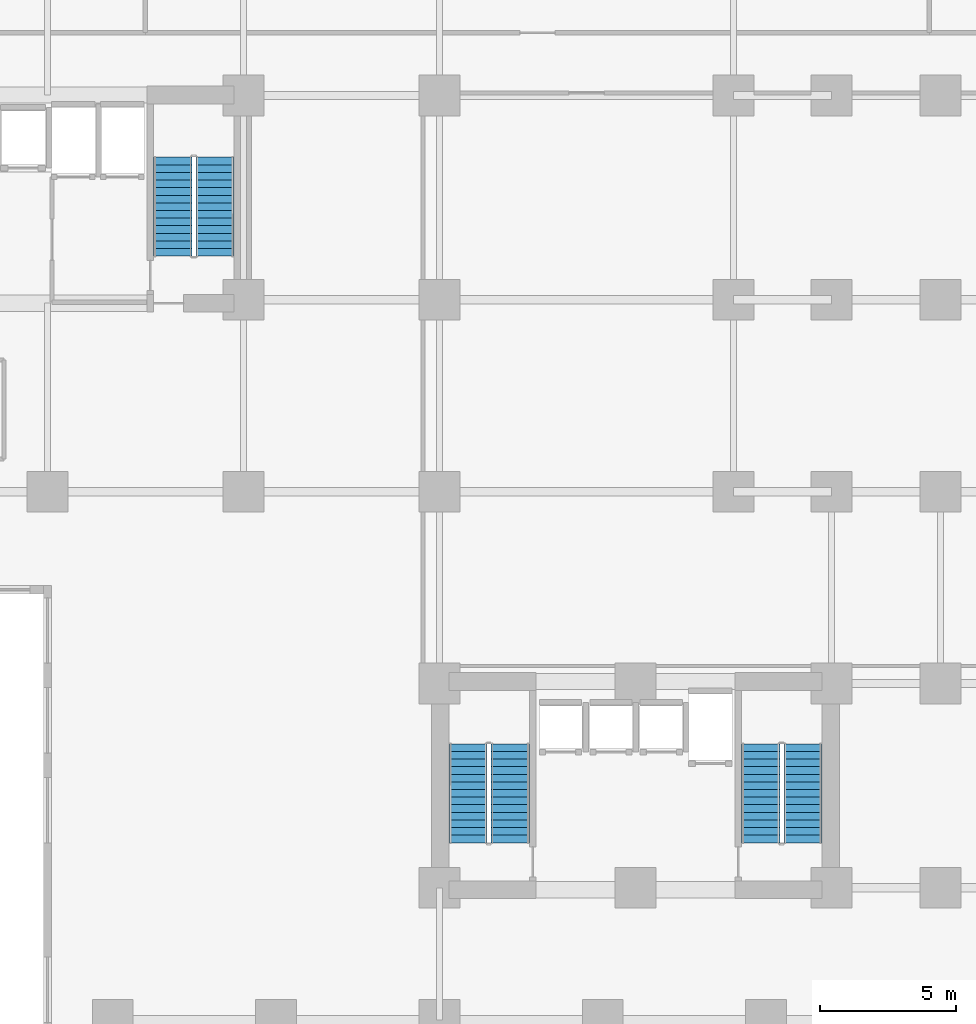
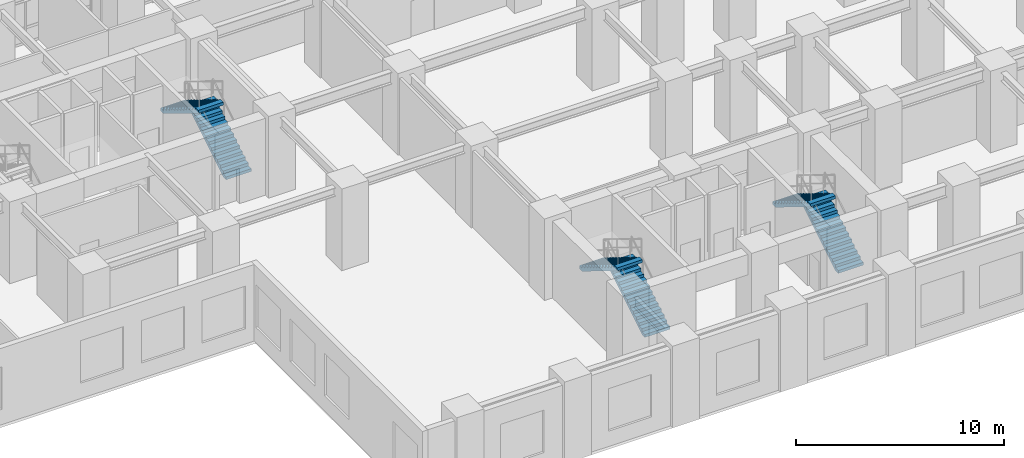
# One storey, part 19 of 22: 6 stair flights, 3 elements without a shape of their own.
"""IFC4 building model written with IfcOpenShell, lengths in metres."""

from ifc_helpers import new_model, si_unit, direction, frame, origin, place, context, subcontext, project, spatial, polyline, outline, extrude, material, type_object, element, aggregate, save


model = new_model("IFC4")

# Units and contexts
model_context = context("Model", 3, precision=1e-05, world=origin(), true_north=direction((0.0, 1.0)))
body_context = subcontext(model_context, "Body", "Model", "MODEL_VIEW")
ifc_project = project(units=[si_unit("LENGTHUNIT", "METRE"), si_unit("AREAUNIT", "SQUARE_METRE"), si_unit("VOLUMEUNIT", "CUBIC_METRE"), si_unit("PLANEANGLEUNIT", "RADIAN"), si_unit("MASSUNIT", "GRAM", prefix="KILO")], contexts=[model_context])

# Site, building, storey
site_placement = place(None, origin())
site = spatial("IfcSite", under=ifc_project, at=site_placement, CompositionType="ELEMENT")
building_placement = place(site_placement, origin())
building = spatial("IfcBuilding", under=site, at=building_placement, Name="Kaliganga Portal Commons", CompositionType="ELEMENT")
storey_placement = place(building_placement, frame((0.0, 0.0, 5.39990234375)))
storey = spatial("IfcBuildingStorey", under=building, at=storey_placement, Name="L01", CompositionType="ELEMENT", Elevation=5.39990234375)

# Stair, stair flights
ifc_material = material(Name="Concrete C40/50", Category="concrete")
stair_type = type_object("IfcStairType", Name="ST-CORE-DOGLEG", PredefinedType="HALF_TURN_STAIR", material=ifc_material)
stair_1_placement = place(storey_placement, origin())
stair_1 = element("IfcStair", 1, at=stair_1_placement, inside=storey, type_object=stair_type, Name="L01 Protected Exit Stair ST-A2", PredefinedType="HALF_TURN_STAIR")
stair_flight_type = type_object("IfcStairFlightType", Name="STF-RC-1400", PredefinedType="STRAIGHT", material=ifc_material)
stair_flight_1_placement = place(storey_placement, frame((27.75, 30.25, 0.0), z_axis=(0.0, 0.0, 1.0), x_axis=(0.0, 1.0, 0.0)))
stair_flight_1 = element("IfcStairFlight", 2, at=stair_flight_1_placement, type_object=stair_flight_type, Name="ST-A2 flight 1", NumberOfRisers=14, NumberOfTreads=13, PredefinedType="STRAIGHT", RiserHeight=0.171428571, TreadLength=0.28, context=body_context, shape_type="SweptSolid", body=[
    extrude(outline(polyline([(0.0, 0.0), (0.0, 0.17138671875), (0.280029296875, 0.17138671875), (0.280029296875, 0.3427734375), (0.56005859375, 0.3427734375), (0.56005859375, 0.514404296875), (0.840087890625, 0.514404296875), (0.840087890625, 0.685791015625), (1.1201171875, 0.685791015625), (1.1201171875, 0.857177734375), (1.39990234375, 0.857177734375), (1.39990234375, 1.028564453125), (1.679931640625, 1.028564453125), (1.679931640625, 1.199951171875), (1.9599609375, 1.199951171875), (1.9599609375, 1.371337890625), (2.239990234375, 1.371337890625), (2.239990234375, 1.54296875), (2.52001953125, 1.54296875), (2.52001953125, 1.71435546875), (2.800048828125, 1.71435546875), (2.800048828125, 1.8857421875), (3.080078125, 1.8857421875), (3.080078125, 2.05712890625), (3.360107421875, 2.05712890625), (3.360107421875, 2.228515625), (3.639892578125, 2.228515625), (3.639892578125, 2.39990234375), (3.639892578125, 2.052734375), (0.287109375, 0.0), (0.0, 0.0)])), frame((0.0, 0.699951171875, 0.0), z_axis=(0.0, -1.0, 0.0), x_axis=(1.0, 0.0, 0.0)), (0.0, 0.0, 1.0), 1.39990234375),
])
stair_flight_2_placement = place(storey_placement, frame((26.199951171875, 33.889892578125, 2.400146484375), z_axis=(0.0, 0.0, 1.0), x_axis=(0.0, -1.0, 0.0)))
stair_flight_2 = element("IfcStairFlight", 3, at=stair_flight_2_placement, type_object=stair_flight_type, Name="ST-A2 flight 2", NumberOfRisers=14, NumberOfTreads=13, PredefinedType="STRAIGHT", RiserHeight=0.171428571, TreadLength=0.28, context=body_context, shape_type="SweptSolid", body=[
    extrude(outline(polyline([(0.0, 0.0), (0.0, 0.17138671875), (0.280029296875, 0.17138671875), (0.280029296875, 0.3427734375), (0.56005859375, 0.3427734375), (0.56005859375, 0.514404296875), (0.840087890625, 0.514404296875), (0.840087890625, 0.685791015625), (1.1201171875, 0.685791015625), (1.1201171875, 0.857177734375), (1.39990234375, 0.857177734375), (1.39990234375, 1.028564453125), (1.679931640625, 1.028564453125), (1.679931640625, 1.199951171875), (1.9599609375, 1.199951171875), (1.9599609375, 1.371337890625), (2.239990234375, 1.371337890625), (2.239990234375, 1.54296875), (2.52001953125, 1.54296875), (2.52001953125, 1.71435546875), (2.800048828125, 1.71435546875), (2.800048828125, 1.8857421875), (3.080078125, 1.8857421875), (3.080078125, 2.05712890625), (3.360107421875, 2.05712890625), (3.360107421875, 2.228515625), (3.639892578125, 2.228515625), (3.639892578125, 2.39990234375), (3.639892578125, 2.052734375), (0.287109375, 0.0), (0.0, 0.0)])), frame((0.0, 0.699951171875, 0.0), z_axis=(0.0, -1.0, 0.0), x_axis=(1.0, 0.0, 0.0)), (0.0, 0.0, 1.0), 1.39990234375),
])
aggregate(stair_1, [stair_flight_1, stair_flight_2])

stair_2_placement = place(storey_placement, origin())
stair_2 = element("IfcStair", 4, at=stair_2_placement, inside=storey, type_object=stair_type, Name="L01 Protected Exit Stair ST-B1", PredefinedType="HALF_TURN_STAIR")
stair_flight_3_placement = place(storey_placement, frame((38.60009765625, 8.699951171875, 0.0), z_axis=(0.0, 0.0, 1.0), x_axis=(0.0, 1.0, 0.0)))
stair_flight_3 = element("IfcStairFlight", 5, at=stair_flight_3_placement, type_object=stair_flight_type, Name="ST-B1 flight 1", NumberOfRisers=14, NumberOfTreads=13, PredefinedType="STRAIGHT", RiserHeight=0.171428571, TreadLength=0.28, context=body_context, shape_type="SweptSolid", body=[
    extrude(outline(polyline([(0.0, 0.0), (0.0, 0.17138671875), (0.280029296875, 0.17138671875), (0.280029296875, 0.3427734375), (0.56005859375, 0.3427734375), (0.56005859375, 0.514404296875), (0.840087890625, 0.514404296875), (0.840087890625, 0.685791015625), (1.1201171875, 0.685791015625), (1.1201171875, 0.857177734375), (1.39990234375, 0.857177734375), (1.39990234375, 1.028564453125), (1.679931640625, 1.028564453125), (1.679931640625, 1.199951171875), (1.9599609375, 1.199951171875), (1.9599609375, 1.371337890625), (2.239990234375, 1.371337890625), (2.239990234375, 1.54296875), (2.52001953125, 1.54296875), (2.52001953125, 1.71435546875), (2.800048828125, 1.71435546875), (2.800048828125, 1.8857421875), (3.080078125, 1.8857421875), (3.080078125, 2.05712890625), (3.360107421875, 2.05712890625), (3.360107421875, 2.228515625), (3.639892578125, 2.228515625), (3.639892578125, 2.39990234375), (3.639892578125, 2.052734375), (0.287109375, 0.0), (0.0, 0.0)])), frame((0.0, 0.699951171875, 0.0), z_axis=(0.0, -1.0, 0.0), x_axis=(1.0, 0.0, 0.0)), (0.0, 0.0, 1.0), 1.39990234375),
])
stair_flight_4_placement = place(storey_placement, frame((37.050048828125, 12.340087890625, 2.400146484375), z_axis=(0.0, 0.0, 1.0), x_axis=(0.0, -1.0, 0.0)))
stair_flight_4 = element("IfcStairFlight", 6, at=stair_flight_4_placement, type_object=stair_flight_type, Name="ST-B1 flight 2", NumberOfRisers=14, NumberOfTreads=13, PredefinedType="STRAIGHT", RiserHeight=0.171428571, TreadLength=0.28, context=body_context, shape_type="SweptSolid", body=[
    extrude(outline(polyline([(0.0, 0.0), (0.0, 0.17138671875), (0.280029296875, 0.17138671875), (0.280029296875, 0.3427734375), (0.56005859375, 0.3427734375), (0.56005859375, 0.514404296875), (0.840087890625, 0.514404296875), (0.840087890625, 0.685791015625), (1.1201171875, 0.685791015625), (1.1201171875, 0.857177734375), (1.39990234375, 0.857177734375), (1.39990234375, 1.028564453125), (1.679931640625, 1.028564453125), (1.679931640625, 1.199951171875), (1.9599609375, 1.199951171875), (1.9599609375, 1.371337890625), (2.239990234375, 1.371337890625), (2.239990234375, 1.54296875), (2.52001953125, 1.54296875), (2.52001953125, 1.71435546875), (2.800048828125, 1.71435546875), (2.800048828125, 1.8857421875), (3.080078125, 1.8857421875), (3.080078125, 2.05712890625), (3.360107421875, 2.05712890625), (3.360107421875, 2.228515625), (3.639892578125, 2.228515625), (3.639892578125, 2.39990234375), (3.639892578125, 2.052734375), (0.287109375, 0.0), (0.0, 0.0)])), frame((0.0, 0.699951171875, 0.0), z_axis=(0.0, -1.0, 0.0), x_axis=(1.0, 0.0, 0.0)), (0.0, 0.0, 1.0), 1.39990234375),
])
aggregate(stair_2, [stair_flight_3, stair_flight_4])

stair_3_placement = place(storey_placement, origin())
stair_3 = element("IfcStair", 7, at=stair_3_placement, inside=storey, type_object=stair_type, Name="L01 Protected Exit Stair ST-B2", PredefinedType="HALF_TURN_STAIR")
stair_flight_5_placement = place(storey_placement, frame((49.35009765625, 8.699951171875, 0.0), z_axis=(0.0, 0.0, 1.0), x_axis=(0.0, 1.0, 0.0)))
stair_flight_5 = element("IfcStairFlight", 8, at=stair_flight_5_placement, type_object=stair_flight_type, Name="ST-B2 flight 1", NumberOfRisers=14, NumberOfTreads=13, PredefinedType="STRAIGHT", RiserHeight=0.171428571, TreadLength=0.28, context=body_context, shape_type="SweptSolid", body=[
    extrude(outline(polyline([(0.0, 0.0), (0.0, 0.17138671875), (0.280029296875, 0.17138671875), (0.280029296875, 0.3427734375), (0.56005859375, 0.3427734375), (0.56005859375, 0.514404296875), (0.840087890625, 0.514404296875), (0.840087890625, 0.685791015625), (1.1201171875, 0.685791015625), (1.1201171875, 0.857177734375), (1.39990234375, 0.857177734375), (1.39990234375, 1.028564453125), (1.679931640625, 1.028564453125), (1.679931640625, 1.199951171875), (1.9599609375, 1.199951171875), (1.9599609375, 1.371337890625), (2.239990234375, 1.371337890625), (2.239990234375, 1.54296875), (2.52001953125, 1.54296875), (2.52001953125, 1.71435546875), (2.800048828125, 1.71435546875), (2.800048828125, 1.8857421875), (3.080078125, 1.8857421875), (3.080078125, 2.05712890625), (3.360107421875, 2.05712890625), (3.360107421875, 2.228515625), (3.639892578125, 2.228515625), (3.639892578125, 2.39990234375), (3.639892578125, 2.052734375), (0.287109375, 0.0), (0.0, 0.0)])), frame((0.0, 0.699951171875, 0.0), z_axis=(0.0, -1.0, 0.0), x_axis=(1.0, 0.0, 0.0)), (0.0, 0.0, 1.0), 1.39990234375),
])
stair_flight_6_placement = place(storey_placement, frame((47.800048828125, 12.340087890625, 2.400146484375), z_axis=(0.0, 0.0, 1.0), x_axis=(0.0, -1.0, 0.0)))
stair_flight_6 = element("IfcStairFlight", 9, at=stair_flight_6_placement, type_object=stair_flight_type, Name="ST-B2 flight 2", NumberOfRisers=14, NumberOfTreads=13, PredefinedType="STRAIGHT", RiserHeight=0.171428571, TreadLength=0.28, context=body_context, shape_type="SweptSolid", body=[
    extrude(outline(polyline([(0.0, 0.0), (0.0, 0.17138671875), (0.280029296875, 0.17138671875), (0.280029296875, 0.3427734375), (0.56005859375, 0.3427734375), (0.56005859375, 0.514404296875), (0.840087890625, 0.514404296875), (0.840087890625, 0.685791015625), (1.1201171875, 0.685791015625), (1.1201171875, 0.857177734375), (1.39990234375, 0.857177734375), (1.39990234375, 1.028564453125), (1.679931640625, 1.028564453125), (1.679931640625, 1.199951171875), (1.9599609375, 1.199951171875), (1.9599609375, 1.371337890625), (2.239990234375, 1.371337890625), (2.239990234375, 1.54296875), (2.52001953125, 1.54296875), (2.52001953125, 1.71435546875), (2.800048828125, 1.71435546875), (2.800048828125, 1.8857421875), (3.080078125, 1.8857421875), (3.080078125, 2.05712890625), (3.360107421875, 2.05712890625), (3.360107421875, 2.228515625), (3.639892578125, 2.228515625), (3.639892578125, 2.39990234375), (3.639892578125, 2.052734375), (0.287109375, 0.0), (0.0, 0.0)])), frame((0.0, 0.699951171875, 0.0), z_axis=(0.0, -1.0, 0.0), x_axis=(1.0, 0.0, 0.0)), (0.0, 0.0, 1.0), 1.39990234375),
])
aggregate(stair_3, [stair_flight_5, stair_flight_6])

save(model, "model.ifc")
